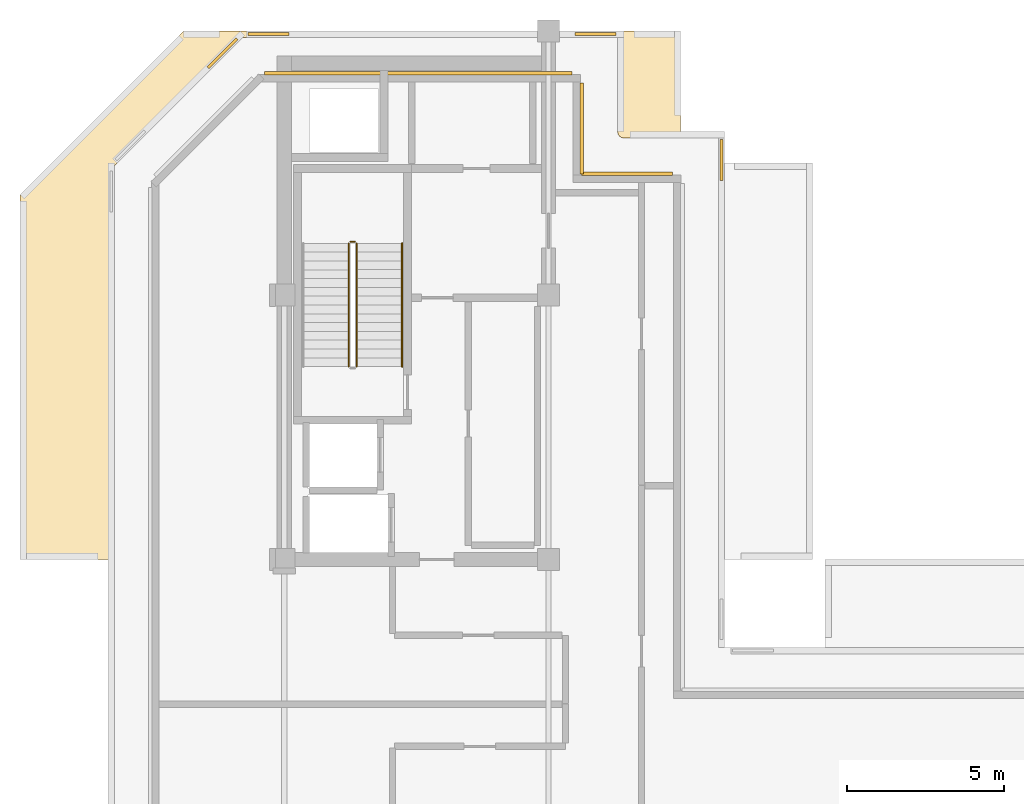
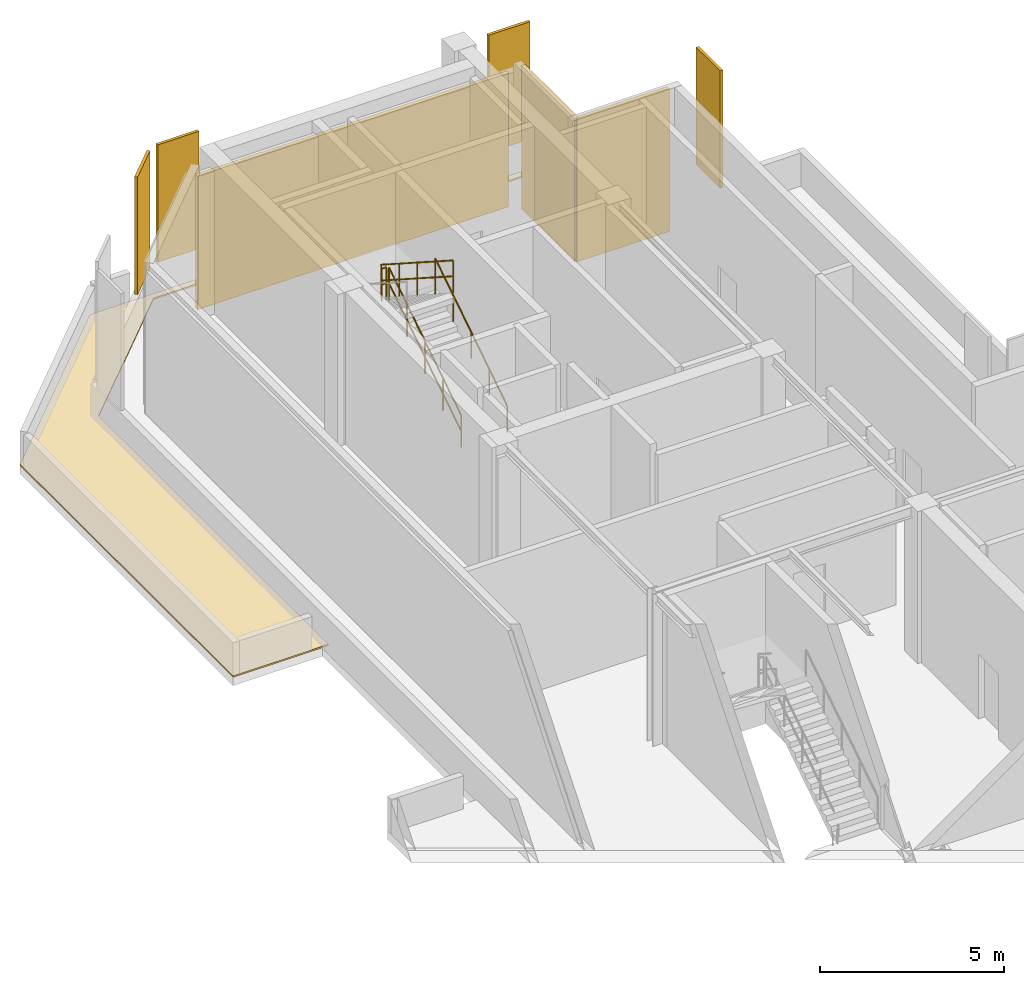
# One storey, part 9 of 9: 5 coverings, 4 railings, 3 shading devices.
"""IFC4 building model written with IfcOpenShell, lengths in metres."""

from ifc_helpers import new_model, si_unit, direction, frame, origin, origin_2d, place, context, subcontext, project, spatial, polyline, rectangle, circle, outline, extrude, material, layer, layer_set, type_object, element, save


model = new_model("IFC4")

# Units and contexts
model_context = context("Model", 3, precision=1e-05, world=origin(), true_north=direction((0.0, 1.0)))
body_context = subcontext(model_context, "Body", "Model", "MODEL_VIEW")
ifc_project = project(units=[si_unit("LENGTHUNIT", "METRE"), si_unit("AREAUNIT", "SQUARE_METRE"), si_unit("VOLUMEUNIT", "CUBIC_METRE"), si_unit("PLANEANGLEUNIT", "RADIAN"), si_unit("MASSUNIT", "GRAM", prefix="KILO")], contexts=[model_context])

# Site, building, storey
site_placement = place(None, origin())
site = spatial("IfcSite", under=ifc_project, at=site_placement, CompositionType="ELEMENT")
building_placement = place(site_placement, origin())
building = spatial("IfcBuilding", under=site, at=building_placement, Name="Nerrivon Quay Data Exchange", CompositionType="ELEMENT")
storey_placement = place(building_placement, frame((0.0, 0.0, 333.0)))
storey = spatial("IfcBuildingStorey", under=building, at=storey_placement, Name="L79", CompositionType="ELEMENT", Elevation=333.0)

# Coverings
ifc_material_1 = material(Name="Bituminous waterproof roofing membrane", Category="concrete")
ifc_layer_1 = layer(ifc_material_1, 0.06005859375)
ifc_layer_set_1 = layer_set([ifc_layer_1], Name="Bituminous waterproof roofing membrane")
covering_type_1 = type_object("IfcCoveringType", Name="COV-ROOF-MEM1", PredefinedType="ROOFING", material=ifc_layer_set_1)
covering_placement = place(storey_placement, origin())
element("IfcCovering", 1, at=covering_placement, inside=storey, type_object=covering_type_1, Name="L79 Stepped Crown Roof Membrane 2", PredefinedType="ROOFING", context=body_context, shape_type="SweptSolid", body=[
    extrude(outline(polyline([(0.0, 36.800048828125), (0.0, 25.199951171875), (3.0, 25.199951171875), (3.0, 37.71728515625), (7.082763671875, 41.800048828125), (19.0, 41.800048828125), (19.0, 38.800048828125), (19.00390625, 38.760986328125), (19.008544921875, 38.741943359375), (19.023681640625, 38.705810546875), (19.03369140625, 38.68896484375), (19.04541015625, 38.673095703125), (19.072998046875, 38.6455078125), (19.105712890625, 38.62353515625), (19.141845703125, 38.608642578125), (19.180419921875, 38.60107421875), (19.199951171875, 38.60009765625), (21.0, 38.60009765625), (21.0, 42.0), (5.199951171875, 42.0), (0.0, 36.800048828125)])), origin(), (0.0, 0.0, 1.0), 0.050048828125),
])
ifc_material_2 = material(Name="Architectural terracotta ceramic", Category="masonry")
ifc_layer_2 = layer(ifc_material_2, 0.090087890625)
ifc_layer_set_2 = layer_set([ifc_layer_2], Name="Architectural terracotta ceramic")
covering_type_2 = type_object("IfcCoveringType", Name="COV-SCR-TERR", PredefinedType="CLADDING", material=ifc_layer_set_2)
for number, where, z_axis, x_axis, name in (
    (2, (6.434326171875, 41.29296875, 1.150146484375), (0.0, 0.0, 1.0), (0.707106781187, 0.707106781187, 0.0), "L79 Wind Turbine Slot Terracotta SOLAR SCREEN Shroud 6.2"),
    (3, (7.89990234375, 41.89990234375, 1.150146484375), (0.0, 0.0, 1.0), (1.0, 0.0, 0.0), "L79 Wind Turbine Slot Terracotta SOLAR SCREEN Shroud 7.1"),
    (4, (18.300048828125, 41.89990234375, 1.150146484375), (0.0, 0.0, 1.0), (1.0, 0.0, 0.0), "L79 Wind Turbine Slot Terracotta SOLAR SCREEN Shroud 7.2"),
    (5, (22.300048828125, 37.89990234375, 1.150146484375), (0.0, 0.0, 1.0), (0.0, -1.0, 0.0), "L79 Wind Turbine Slot Terracotta SOLAR SCREEN Shroud 10.1"),
):
    element("IfcCovering", number, at=place(storey_placement, frame(where, z_axis=z_axis, x_axis=x_axis)), inside=storey, type_object=covering_type_2, Name=name, PredefinedType="CLADDING", context=body_context, shape_type="SweptSolid", body=[
        extrude(rectangle(XDim=1.300048828125, YDim=0.090087890625, at=origin_2d()), origin(), (0.0, 0.0, 1.0), 3.89990234375),
    ])

# Railings
ifc_material_3 = material(Name="Steel Grade C350L0 (350 MPa)", Category="steel")
railing_type_1 = type_object("IfcRailingType", Name="RAIL-HAND-HR1", PredefinedType="HANDRAIL", material=ifc_material_3)
railing_1_placement = place(storey_placement, frame((12.14990234375, 31.330078125, 0.179931640625)))
element("IfcRailing", 6, at=railing_1_placement, inside=storey, type_object=railing_type_1, Name="L79 ST01 stair handrail 1", PredefinedType="HANDRAIL", context=body_context, shape_type="SweptSolid", body=[
    extrude(circle(Radius=0.02392578125, at=origin_2d()), frame((0.0, 0.0, 0.8759765625), z_axis=(0.0, 0.841171666519, 0.540768182723), x_axis=(-1.0, 0.0, 0.0)), (0.0, 0.0, 1.0), 4.66015625),
    extrude(circle(Radius=0.02099609375, at=origin_2d()), origin(), (0.0, 0.0, 1.0), 0.851806640625),
    extrude(circle(Radius=0.02099609375, at=origin_2d()), frame((0.0, 0.97998046875, 0.6298828125)), (0.0, 0.0, 1.0), 0.851806640625),
    extrude(circle(Radius=0.02099609375, at=origin_2d()), frame((0.0, 1.9599609375, 1.260009765625)), (0.0, 0.0, 1.0), 0.851806640625),
    extrude(circle(Radius=0.02099609375, at=origin_2d()), frame((0.0, 2.93994140625, 1.89013671875)), (0.0, 0.0, 1.0), 0.851806640625),
    extrude(circle(Radius=0.02099609375, at=origin_2d()), frame((0.0, 3.919921875, 2.52001953125)), (0.0, 0.0, 1.0), 0.851806640625),
])
railing_type_2 = type_object("IfcRailingType", Name="RAIL-STAIR-GR1", PredefinedType="BALUSTRADE", material=ifc_material_3)
railing_2_placement = place(storey_placement, frame((10.699951171875, 31.330078125, 0.179931640625)))
element("IfcRailing", 7, at=railing_2_placement, inside=storey, type_object=railing_type_2, Name="L79 ST01 stair guard 1", PredefinedType="BALUSTRADE", context=body_context, shape_type="SweptSolid", body=[
    extrude(circle(Radius=0.02392578125, at=origin_2d()), frame((0.0, 0.0, 1.076171875), z_axis=(0.0, 0.841171666519, 0.540768182723), x_axis=(-1.0, 0.0, 0.0)), (0.0, 0.0, 1.0), 4.66015625),
    extrude(circle(Radius=0.02392578125, at=origin_2d()), frame((0.0, 0.0, 0.550048828125), z_axis=(0.0, 0.841171666519, 0.540768182723), x_axis=(-1.0, 0.0, 0.0)), (0.0, 0.0, 1.0), 4.66015625),
    extrude(circle(Radius=0.02099609375, at=origin_2d()), origin(), (0.0, 0.0, 1.0), 1.052001953125),
    extrude(circle(Radius=0.02099609375, at=origin_2d()), frame((0.0, 0.97998046875, 0.6298828125)), (0.0, 0.0, 1.0), 1.052001953125),
    extrude(circle(Radius=0.02099609375, at=origin_2d()), frame((0.0, 1.9599609375, 1.260009765625)), (0.0, 0.0, 1.0), 1.052001953125),
    extrude(circle(Radius=0.02099609375, at=origin_2d()), frame((0.0, 2.93994140625, 1.89013671875)), (0.0, 0.0, 1.0), 1.052001953125),
    extrude(circle(Radius=0.02099609375, at=origin_2d()), frame((0.0, 3.919921875, 2.52001953125)), (0.0, 0.0, 1.0), 1.052001953125),
])
railing_3_placement = place(storey_placement, frame((10.64990234375, 35.300048828125, 2.699951171875)))
element("IfcRailing", 8, at=railing_3_placement, inside=storey, type_object=railing_type_2, Name="L79 ST01 stair guard 2", PredefinedType="BALUSTRADE", context=body_context, shape_type="SweptSolid", body=[
    extrude(circle(Radius=0.02392578125, at=origin_2d()), frame((0.0, 0.0, 1.076171875), z_axis=(-1.0, 0.0, 0.0), x_axis=(0.0, -1.0, 0.0)), (0.0, 0.0, 1.0), 0.14990234375),
    extrude(circle(Radius=0.02392578125, at=origin_2d()), frame((0.0, 0.0, 0.550048828125), z_axis=(-1.0, 0.0, 0.0), x_axis=(0.0, -1.0, 0.0)), (0.0, 0.0, 1.0), 0.14990234375),
    extrude(circle(Radius=0.02099609375, at=origin_2d()), origin(), (0.0, 0.0, 1.0), 1.052001953125),
    extrude(circle(Radius=0.02099609375, at=origin_2d()), frame((-0.14990234375, 0.0, 0.0)), (0.0, 0.0, 1.0), 1.052001953125),
])
railing_4_placement = place(storey_placement, frame((10.449951171875, 35.25, 2.8798828125)))
element("IfcRailing", 9, at=railing_4_placement, inside=storey, type_object=railing_type_2, Name="L79 ST01 stair guard 3", PredefinedType="BALUSTRADE", context=body_context, shape_type="SweptSolid", body=[
    extrude(circle(Radius=0.02392578125, at=origin_2d()), frame((0.0, 0.0, 1.076171875), z_axis=(0.0, -0.841171666519, 0.540768182723), x_axis=(1.0, 0.0, 0.0)), (0.0, 0.0, 1.0), 4.66015625),
    extrude(circle(Radius=0.02392578125, at=origin_2d()), frame((0.0, 0.0, 0.550048828125), z_axis=(0.0, -0.841171666519, 0.540768182723), x_axis=(1.0, 0.0, 0.0)), (0.0, 0.0, 1.0), 4.66015625),
    extrude(circle(Radius=0.02099609375, at=origin_2d()), origin(), (0.0, 0.0, 1.0), 1.052001953125),
    extrude(circle(Radius=0.02099609375, at=origin_2d()), frame((0.0, -0.97998046875, 0.6298828125)), (0.0, 0.0, 1.0), 1.052001953125),
    extrude(circle(Radius=0.02099609375, at=origin_2d()), frame((0.0, -1.9599609375, 1.260009765625)), (0.0, 0.0, 1.0), 1.052001953125),
    extrude(circle(Radius=0.02099609375, at=origin_2d()), frame((0.0, -2.93994140625, 1.89013671875)), (0.0, 0.0, 1.0), 1.052001953125),
    extrude(circle(Radius=0.02099609375, at=origin_2d()), frame((0.0, -3.919921875, 2.52001953125)), (0.0, 0.0, 1.0), 1.052001953125),
])

# Shading devices
ifc_material_4 = material(Name="Anodised aluminium 6063-T6", Category="aluminium")
ifc_layer_3 = layer(ifc_material_4, 0.1201171875)
ifc_layer_set_3 = layer_set([ifc_layer_3], Name="Anodised aluminium 6063-T6")
shading_device_type = type_object("IfcShadingDeviceType", Name="SHD-LOUV-LV01", PredefinedType="JALOUSIE", material=ifc_layer_set_3)
shading_device_placement = place(storey_placement, frame((12.66064453125, 40.659912109375, 0.14990234375), z_axis=(0.0, 0.0, 1.0), x_axis=(1.0, 0.0, 0.0)))
element("IfcShadingDevice", 10, at=shading_device_placement, inside=storey, type_object=shading_device_type, Name="L79 Acoustic Turbine Louvre LV01-8", PredefinedType="JALOUSIE", context=body_context, shape_type="SweptSolid", body=[
    extrude(rectangle(XDim=9.77880859375, YDim=0.1201171875, at=origin_2d()), origin(), (0.0, 0.0, 1.0), 4.443115234375),
])
for number, where, z_axis, x_axis, name in (
    (11, (17.860107421875, 38.89990234375, 0.14990234375), (0.0, 0.0, 1.0), (0.0, -1.0, 0.0), "L79 Acoustic Turbine Louvre LV01-9"),
    (12, (19.300048828125, 37.4599609375, 0.14990234375), (0.0, 0.0, 1.0), (1.0, 0.0, 0.0), "L79 Acoustic Turbine Louvre LV01-10"),
):
    element("IfcShadingDevice", number, at=place(storey_placement, frame(where, z_axis=z_axis, x_axis=x_axis)), inside=storey, type_object=shading_device_type, Name=name, PredefinedType="JALOUSIE", context=body_context, shape_type="SweptSolid", body=[
        extrude(rectangle(XDim=2.89990234375, YDim=0.1201171875, at=origin_2d()), origin(), (0.0, 0.0, 1.0), 4.75),
    ])

save(model, "model.ifc")
